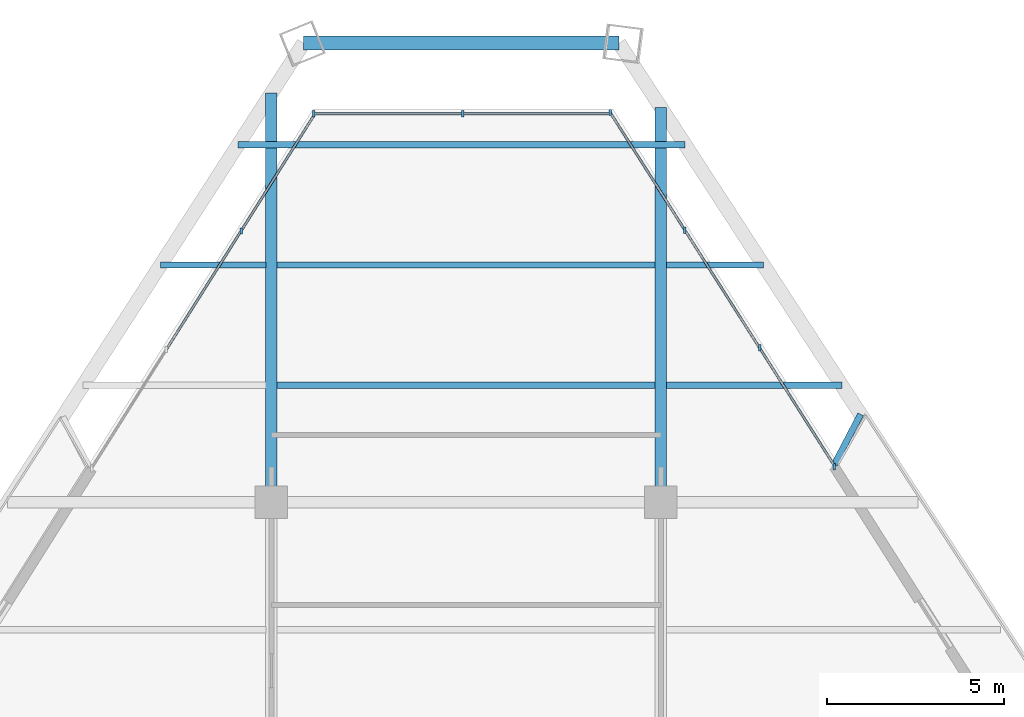
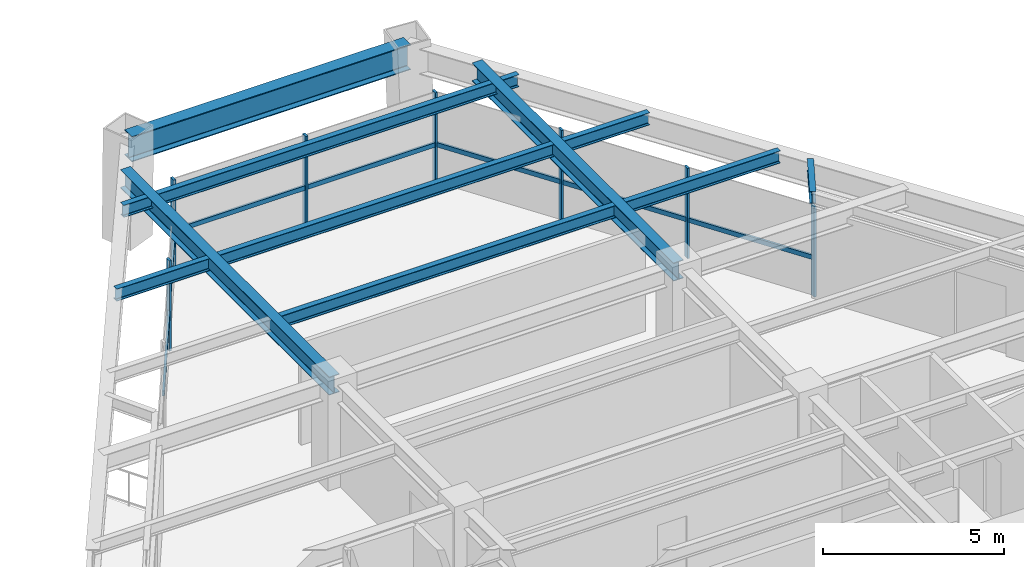
# One storey, part 9 of 15: 14 members, 10 beams, 3 elements without a shape of their own.
"""IFC4 building model written with IfcOpenShell, lengths in metres."""

from ifc_helpers import new_model, si_unit, direction, frame, origin, origin_2d, place, context, subcontext, project, spatial, rectangle, i_section, extrude, source, transform, mapped, material, material_profile, profile_set, type_object, element, aggregate, save


model = new_model("IFC4")

# Units and contexts
model_context = context("Model", 3, precision=1e-05, world=origin(), true_north=direction((0.0, 1.0)))
body_context = subcontext(model_context, "Body", "Model", "MODEL_VIEW")
ifc_project = project(units=[si_unit("LENGTHUNIT", "METRE"), si_unit("AREAUNIT", "SQUARE_METRE"), si_unit("VOLUMEUNIT", "CUBIC_METRE"), si_unit("PLANEANGLEUNIT", "RADIAN"), si_unit("MASSUNIT", "GRAM", prefix="KILO")], contexts=[model_context])

# Site, building, storey
site_placement = place(None, origin())
site = spatial("IfcSite", under=ifc_project, at=site_placement, CompositionType="ELEMENT")
building_placement = place(site_placement, origin())
building = spatial("IfcBuilding", under=site, at=building_placement, Name="Varnakhor Terracotta Tower", CompositionType="ELEMENT")
storey_placement = place(building_placement, frame((0.0, 0.0, 171.0)))
storey = spatial("IfcBuildingStorey", under=building, at=storey_placement, Name="L43", CompositionType="ELEMENT", Elevation=171.0)

# Beams
ifc_material_1 = material(Name="Steel S355", Category="steel")
ifc_material_profile_1 = material_profile(ifc_material_1, i_section(OverallWidth=0.179931640625, OverallDepth=0.4130859375, WebThickness=0.009765625, FlangeThickness=0.01611328125, FilletRadius=0.01806640625, at=origin_2d()), Name="W16X50")
ifc_profile_set_1 = profile_set([ifc_material_profile_1], Name="Steel S355")
beam_type_1 = type_object("IfcBeamType", Name="JST-W16X50", PredefinedType="JOIST", material=ifc_profile_set_1)
shared_shape_1 = source(origin(), body_context, "Body", "SweptSolid", [
    extrude(i_section(OverallWidth=0.179931640625, OverallDepth=0.4130859375, WebThickness=0.009765625, FlangeThickness=0.01611328125, FilletRadius=0.01806640625, at=origin_2d()), origin(), (0.0, 0.0, 1.0), 10.68310546875),
])
for number, where, z_axis, x_axis, name in (
    (1, (-5.341552734375, 34.800048828125, 3.263427734375), (1.0, 0.0, 0.0), (0.0, 1.0, 0.0), "L43 Composite Floor Joist 7-2"),
    (2, (-5.341552734375, 38.199951171875, 3.263427734375), (1.0, 0.0, 0.0), (0.0, 1.0, 0.0), "L43 Composite Floor Joist 8-2"),
):
    element("IfcBeam", number, at=place(storey_placement, frame(where, z_axis=z_axis, x_axis=x_axis)), inside=storey, type_object=beam_type_1, Name=name, PredefinedType="JOIST", context=body_context, shape_type="MappedRepresentation", body=[
        mapped(shared_shape_1, transform((0.0, 0.0, 0.0), scale=1.0)),
    ])
ifc_material_profile_2 = material_profile(ifc_material_1, i_section(OverallWidth=0.39990234375, OverallDepth=0.85498046875, WebThickness=0.01806640625, FlangeThickness=0.029052734375, FilletRadius=0.01806640625, at=origin_2d()), Name="W33X201")
ifc_profile_set_2 = profile_set([ifc_material_profile_2], Name="Steel S355")
beam_type_2 = type_object("IfcBeamType", Name="BM-W33X201", PredefinedType="BEAM", material=ifc_profile_set_2)
shared_shape_2 = source(origin(), body_context, "Body", "SweptSolid", [
    extrude(i_section(OverallWidth=0.39990234375, OverallDepth=0.85498046875, WebThickness=0.01806640625, FlangeThickness=0.029052734375, FilletRadius=0.01806640625, at=origin_2d()), origin(), (0.0, 0.0, 1.0), 8.907958984375),
])
beam_1_placement = place(storey_placement, frame((4.3173828125, 44.4697265625, 3.04248046875), z_axis=(-1.0, 0.0, 0.0), x_axis=(0.0, -1.0, 0.0)))
element("IfcBeam", 3, at=beam_1_placement, inside=storey, type_object=beam_type_2, Name="L43 Perimeter Spandrel 5", PredefinedType="BEAM", context=body_context, shape_type="MappedRepresentation", body=[
    mapped(shared_shape_2, transform((0.0, 0.0, 0.0), scale=1.0)),
])
ifc_material_profile_3 = material_profile(ifc_material_1, i_section(OverallWidth=0.324951171875, OverallDepth=0.615966796875, WebThickness=0.013916015625, FlangeThickness=0.02197265625, FilletRadius=0.01806640625, at=origin_2d()), Name="W24X117")
ifc_profile_set_3 = profile_set([ifc_material_profile_3], Name="Steel S355")
beam_type_3 = type_object("IfcBeamType", Name="BM-W24X117", PredefinedType="BEAM", material=ifc_profile_set_3)
shared_shape_3 = source(origin(), body_context, "Body", "SweptSolid", [
    extrude(i_section(OverallWidth=0.324951171875, OverallDepth=0.615966796875, WebThickness=0.013916015625, FlangeThickness=0.02197265625, FilletRadius=0.01806640625, at=origin_2d()), origin(), (0.0, 0.0, 1.0), 11.558837890625),
])
beam_2_placement = place(storey_placement, frame((-5.5, 31.5, 3.162109375), z_axis=(0.0, 1.0, 0.0), x_axis=(-1.0, 0.0, 0.0)))
element("IfcBeam", 4, at=beam_2_placement, inside=storey, type_object=beam_type_3, Name="L43 Primary Girder NS3-W", PredefinedType="BEAM", context=body_context, shape_type="MappedRepresentation", body=[
    mapped(shared_shape_3, transform((0.0, 0.0, 0.0), scale=1.0)),
])
shared_shape_4 = source(origin(), body_context, "Body", "SweptSolid", [
    extrude(i_section(OverallWidth=0.324951171875, OverallDepth=0.615966796875, WebThickness=0.013916015625, FlangeThickness=0.02197265625, FilletRadius=0.01806640625, at=origin_2d()), origin(), (0.0, 0.0, 1.0), 11.15234375),
])
beam_3_placement = place(storey_placement, frame((5.5, 31.5, 3.162109375), z_axis=(0.0, 1.0, 0.0), x_axis=(-1.0, 0.0, 0.0)))
element("IfcBeam", 5, at=beam_3_placement, inside=storey, type_object=beam_type_3, Name="L43 Primary Girder NS3-E", PredefinedType="BEAM", context=body_context, shape_type="MappedRepresentation", body=[
    mapped(shared_shape_4, transform((0.0, 0.0, 0.0), scale=1.0)),
])
shared_shape_5 = source(origin(), body_context, "Body", "SweptSolid", [
    extrude(i_section(OverallWidth=0.179931640625, OverallDepth=0.4130859375, WebThickness=0.009765625, FlangeThickness=0.01611328125, FilletRadius=0.01806640625, at=origin_2d()), origin(), (0.0, 0.0, 1.0), 4.95166015625),
])
beam_4_placement = place(storey_placement, frame((5.658447265625, 34.800048828125, 3.263427734375), z_axis=(1.0, 0.0, 0.0), x_axis=(0.0, 1.0, 0.0)))
element("IfcBeam", 6, at=beam_4_placement, inside=storey, type_object=beam_type_1, Name="L43 Composite Floor Joist 7-3", PredefinedType="JOIST", context=body_context, shape_type="MappedRepresentation", body=[
    mapped(shared_shape_5, transform((0.0, 0.0, 0.0), scale=1.0)),
])
shared_shape_6 = source(origin(), body_context, "Body", "SweptSolid", [
    extrude(i_section(OverallWidth=0.179931640625, OverallDepth=0.4130859375, WebThickness=0.009765625, FlangeThickness=0.01611328125, FilletRadius=0.01806640625, at=origin_2d()), origin(), (0.0, 0.0, 1.0), 2.9736328125),
])
beam_5_placement = place(storey_placement, frame((-8.632080078125, 38.199951171875, 3.263427734375), z_axis=(1.0, 0.0, 0.0), x_axis=(0.0, 1.0, 0.0)))
element("IfcBeam", 7, at=beam_5_placement, inside=storey, type_object=beam_type_1, Name="L43 Composite Floor Joist 8-1", PredefinedType="JOIST", context=body_context, shape_type="MappedRepresentation", body=[
    mapped(shared_shape_6, transform((0.0, 0.0, 0.0), scale=1.0)),
])
shared_shape_7 = source(origin(), body_context, "Body", "SweptSolid", [
    extrude(i_section(OverallWidth=0.179931640625, OverallDepth=0.4130859375, WebThickness=0.009765625, FlangeThickness=0.01611328125, FilletRadius=0.01806640625, at=origin_2d()), origin(), (0.0, 0.0, 1.0), 2.739013671875),
])
beam_6_placement = place(storey_placement, frame((5.658447265625, 38.199951171875, 3.263427734375), z_axis=(1.0, 0.0, 0.0), x_axis=(0.0, 1.0, 0.0)))
element("IfcBeam", 8, at=beam_6_placement, inside=storey, type_object=beam_type_1, Name="L43 Composite Floor Joist 8-3", PredefinedType="JOIST", context=body_context, shape_type="MappedRepresentation", body=[
    mapped(shared_shape_7, transform((0.0, 0.0, 0.0), scale=1.0)),
])
shared_shape_8 = source(origin(), body_context, "Body", "SweptSolid", [
    extrude(i_section(OverallWidth=0.179931640625, OverallDepth=0.4130859375, WebThickness=0.009765625, FlangeThickness=0.01611328125, FilletRadius=0.01806640625, at=origin_2d()), origin(), (0.0, 0.0, 1.0), 12.625244140625),
])
beam_7_placement = place(storey_placement, frame((-6.4404296875, 41.60009765625, 3.263427734375), z_axis=(1.0, 0.0, 0.0), x_axis=(0.0, 1.0, 0.0)))
element("IfcBeam", 9, at=beam_7_placement, inside=storey, type_object=beam_type_1, Name="L43 Composite Floor Joist 9-1", PredefinedType="JOIST", context=body_context, shape_type="MappedRepresentation", body=[
    mapped(shared_shape_8, transform((0.0, 0.0, 0.0), scale=1.0)),
])
ifc_material_profile_4 = material_profile(ifc_material_1, i_section(OverallWidth=0.179931640625, OverallDepth=0.39990234375, WebThickness=0.008544921875, FlangeThickness=0.013427734375, FilletRadius=0.01806640625, at=origin_2d()), Name="IPE400")
ifc_profile_set_4 = profile_set([ifc_material_profile_4], Name="Steel S355")
beam_type_4 = type_object("IfcBeamType", Name="JST-IPE400", PredefinedType="JOIST", material=ifc_profile_set_4)
shared_shape_9 = source(origin(), body_context, "Body", "SweptSolid", [
    extrude(i_section(OverallWidth=0.179931640625, OverallDepth=0.39990234375, WebThickness=0.008544921875, FlangeThickness=0.013427734375, FilletRadius=0.01806640625, at=origin_2d()), origin(), (0.0, 0.0, 1.0), 1.60546875),
])
beam_8_placement = place(storey_placement, frame((10.398681640625, 32.558837890625, 3.27001953125), z_axis=(0.463319349176, 0.886191390547, 0.0), x_axis=(-0.886191390547, 0.463319349176, 0.0)))
element("IfcBeam", 10, at=beam_8_placement, inside=storey, type_object=beam_type_4, Name="L44 E Loggia Tie Beam 1", PredefinedType="JOIST", context=body_context, shape_type="MappedRepresentation", body=[
    mapped(shared_shape_9, transform((0.0, 0.0, 0.0), scale=1.0)),
])

# Curtain wall, member
ifc_material_2 = material(Name="Anodised Aluminium Curtain Wall System", Category="aluminium")
curtain_wall_type = type_object("IfcCurtainWallType", Name="CW-SYS-MID-OFFICE", PredefinedType="NOTDEFINED", material=ifc_material_2)
curtain_wall_1_placement = place(storey_placement, origin())
curtain_wall_1 = element("IfcCurtainWall", 11, at=curtain_wall_1_placement, inside=storey, type_object=curtain_wall_type, Name="L43 W Facet Curtain Wall 2", PredefinedType="NOTDEFINED")
ifc_material_3 = material(Name="Anodised Aluminium 6063-T6", Category="aluminium")
ifc_material_profile_5 = material_profile(ifc_material_3, rectangle(XDim=0.070068359375, YDim=0.175048828125, at=origin_2d()), Name="ALU MULLION 70x175")
ifc_profile_set_5 = profile_set([ifc_material_profile_5], Name="Anodised Aluminium 6063-T6")
member_type_1 = type_object("IfcMemberType", Name="CWM-03", PredefinedType="MULLION", material=ifc_profile_set_5)
shared_shape_10 = source(origin(), body_context, "Body", "SweptSolid", [
    extrude(rectangle(XDim=0.070068359375, YDim=0.175048828125, at=origin_2d()), origin(), (0.0, 0.0, 1.0), 3.050048828125),
])
member_1_placement = place(storey_placement, frame((-6.35791015625, 39.160888671875, 0.0), z_axis=(0.0, 0.0, 1.0), x_axis=(1.0, 0.0, 0.0)))
member_1 = element("IfcMember", 12, at=member_1_placement, type_object=member_type_1, Name="L43 W Facet Curtain Wall 2 Mullion 3", PredefinedType="MULLION", context=body_context, shape_type="MappedRepresentation", body=[
    mapped(shared_shape_10, transform((0.0, 0.0, 0.0), scale=1.0)),
])

# Curtain wall, members
curtain_wall_2_placement = place(storey_placement, origin())
curtain_wall_2 = element("IfcCurtainWall", 13, at=curtain_wall_2_placement, inside=storey, type_object=curtain_wall_type, Name="L43 Facet Curtain Wall 2", PredefinedType="NOTDEFINED")
member_2_placement = place(storey_placement, frame((-4.304443359375, 42.474609375, 0.0), z_axis=(0.0, 0.0, 1.0), x_axis=(1.0, 0.0, 0.0)))
member_2 = element("IfcMember", 14, at=member_2_placement, type_object=member_type_1, Name="L43 Facet Curtain Wall 2 Mullion 1", PredefinedType="MULLION", context=body_context, shape_type="MappedRepresentation", body=[
    mapped(shared_shape_10, transform((0.0, 0.0, 0.0), scale=1.0)),
])
member_3_placement = place(storey_placement, frame((-0.08935546875, 42.474609375, 0.0), z_axis=(0.0, 0.0, 1.0), x_axis=(1.0, 0.0, 0.0)))
member_3 = element("IfcMember", 15, at=member_3_placement, type_object=member_type_1, Name="L43 Facet Curtain Wall 2 Mullion 2", PredefinedType="MULLION", context=body_context, shape_type="MappedRepresentation", body=[
    mapped(shared_shape_10, transform((0.0, 0.0, 0.0), scale=1.0)),
])

curtain_wall_3_placement = place(storey_placement, origin())
curtain_wall_3 = element("IfcCurtainWall", 16, at=curtain_wall_3_placement, inside=storey, type_object=curtain_wall_type, Name="L43 E Facet Curtain Wall 1", PredefinedType="NOTDEFINED")
member_4_placement = place(storey_placement, frame((4.070556640625, 42.505126953125, 0.0), z_axis=(0.0, 0.0, 1.0), x_axis=(1.0, 0.0, 0.0)))
member_4 = element("IfcMember", 17, at=member_4_placement, type_object=member_type_1, Name="L43 E Facet Curtain Wall 1 Mullion 1", PredefinedType="MULLION", context=body_context, shape_type="MappedRepresentation", body=[
    mapped(shared_shape_10, transform((0.0, 0.0, 0.0), scale=1.0)),
])
member_5_placement = place(storey_placement, frame((6.178955078125, 39.18359375, 0.0), z_axis=(0.0, 0.0, 1.0), x_axis=(1.0, 0.0, 0.0)))
member_5 = element("IfcMember", 18, at=member_5_placement, type_object=member_type_1, Name="L43 E Facet Curtain Wall 1 Mullion 2", PredefinedType="MULLION", context=body_context, shape_type="MappedRepresentation", body=[
    mapped(shared_shape_10, transform((0.0, 0.0, 0.0), scale=1.0)),
])
member_6_placement = place(storey_placement, frame((8.287353515625, 35.86181640625, 0.0), z_axis=(0.0, 0.0, 1.0), x_axis=(1.0, 0.0, 0.0)))
member_6 = element("IfcMember", 19, at=member_6_placement, type_object=member_type_1, Name="L43 E Facet Curtain Wall 1 Mullion 3", PredefinedType="MULLION", context=body_context, shape_type="MappedRepresentation", body=[
    mapped(shared_shape_10, transform((0.0, 0.0, 0.0), scale=1.0)),
])
member_7_placement = place(storey_placement, frame((10.39501953125, 32.504150390625, 0.0), z_axis=(0.0, 0.0, 1.0), x_axis=(1.0, 0.0, 0.0)))
member_7 = element("IfcMember", 20, at=member_7_placement, type_object=member_type_1, Name="L43 E Loggia Jamb Closure Mullion 1", PredefinedType="MULLION", context=body_context, shape_type="MappedRepresentation", body=[
    mapped(shared_shape_10, transform((0.0, 0.0, 0.0), scale=1.0)),
])

# Member
ifc_material_profile_6 = material_profile(ifc_material_3, rectangle(XDim=0.070068359375, YDim=0.155029296875, at=origin_2d()), Name="ALU TRANSOM 70x155")
ifc_profile_set_6 = profile_set([ifc_material_profile_6], Name="Anodised Aluminium 6063-T6")
member_type_2 = type_object("IfcMemberType", Name="CWT-03", PredefinedType="USERDEFINED", material=ifc_profile_set_6)
shared_shape_11 = source(origin(), body_context, "Body", "SweptSolid", [
    extrude(rectangle(XDim=0.070068359375, YDim=0.155029296875, at=origin_2d()), origin(), (0.0, 0.0, 1.0), 3.95361328125),
])
member_8_placement = place(storey_placement, frame((-8.466796875, 35.816650390625, 1.281005859375), z_axis=(0.533402744512, 0.845861402446, 0.0), x_axis=(-0.845861402446, 0.533402744512, 0.0)))
member_8 = element("IfcMember", 21, at=member_8_placement, type_object=member_type_2, Name="L43 W Facet Curtain Wall 2 Transom 2", ObjectType="TRANSOM", PredefinedType="USERDEFINED", context=body_context, shape_type="MappedRepresentation", body=[
    mapped(shared_shape_11, transform((0.0, 0.0, 0.0), scale=1.0)),
])

shared_shape_12 = source(origin(), body_context, "Body", "SweptSolid", [
    extrude(rectangle(XDim=0.070068359375, YDim=0.155029296875, at=origin_2d()), origin(), (0.0, 0.0, 1.0), 3.953857421875),
])
member_9_placement = place(storey_placement, frame((-6.35791015625, 39.160888671875, 1.281005859375), z_axis=(0.533374884691, 0.845878970291, 0.0), x_axis=(-0.845878970291, 0.533374884691, 0.0)))
member_9 = element("IfcMember", 22, at=member_9_placement, type_object=member_type_2, Name="L43 W Facet Curtain Wall 2 Transom 3", ObjectType="TRANSOM", PredefinedType="USERDEFINED", context=body_context, shape_type="MappedRepresentation", body=[
    mapped(shared_shape_12, transform((0.0, 0.0, 0.0), scale=1.0)),
])

aggregate(curtain_wall_1, [member_8, member_1, member_9])

shared_shape_13 = source(origin(), body_context, "Body", "SweptSolid", [
    extrude(rectangle(XDim=0.070068359375, YDim=0.155029296875, at=origin_2d()), origin(), (0.0, 0.0, 1.0), 4.215087890625),
])
member_10_placement = place(storey_placement, frame((-4.304443359375, 42.474609375, 1.281005859375), z_axis=(1.0, 0.0, 0.0), x_axis=(0.0, 1.0, 0.0)))
member_10 = element("IfcMember", 23, at=member_10_placement, type_object=member_type_2, Name="L43 Facet Curtain Wall 2 Transom 1", ObjectType="TRANSOM", PredefinedType="USERDEFINED", context=body_context, shape_type="MappedRepresentation", body=[
    mapped(shared_shape_13, transform((0.0, 0.0, 0.0), scale=1.0)),
])

member_11_placement = place(storey_placement, frame((-0.08935546875, 42.474609375, 1.281005859375), z_axis=(1.0, 0.0, 0.0), x_axis=(0.0, 1.0, 0.0)))
member_11 = element("IfcMember", 24, at=member_11_placement, type_object=member_type_2, Name="L43 Facet Curtain Wall 2 Transom 2", ObjectType="TRANSOM", PredefinedType="USERDEFINED", context=body_context, shape_type="MappedRepresentation", body=[
    mapped(shared_shape_13, transform((0.0, 0.0, 0.0), scale=1.0)),
])

aggregate(curtain_wall_2, [member_2, member_10, member_3, member_11])

shared_shape_14 = source(origin(), body_context, "Body", "SweptSolid", [
    extrude(rectangle(XDim=0.070068359375, YDim=0.155029296875, at=origin_2d()), origin(), (0.0, 0.0, 1.0), 3.93408203125),
])
member_12_placement = place(storey_placement, frame((4.070556640625, 42.505126953125, 1.281005859375), z_axis=(0.535915467329, -0.844271645786, 0.0), x_axis=(0.844271645786, 0.535915467329, 0.0)))
member_12 = element("IfcMember", 25, at=member_12_placement, type_object=member_type_2, Name="L43 E Facet Curtain Wall 1 Transom 1", ObjectType="TRANSOM", PredefinedType="USERDEFINED", context=body_context, shape_type="MappedRepresentation", body=[
    mapped(shared_shape_14, transform((0.0, 0.0, 0.0), scale=1.0)),
])

shared_shape_15 = source(origin(), body_context, "Body", "SweptSolid", [
    extrude(rectangle(XDim=0.070068359375, YDim=0.155029296875, at=origin_2d()), origin(), (0.0, 0.0, 1.0), 3.934326171875),
])
member_13_placement = place(storey_placement, frame((6.178955078125, 39.18359375, 1.281005859375), z_axis=(0.535887390763, -0.844289467198, 0.0), x_axis=(0.844289467198, 0.535887390763, 0.0)))
member_13 = element("IfcMember", 26, at=member_13_placement, type_object=member_type_2, Name="L43 E Facet Curtain Wall 1 Transom 2", ObjectType="TRANSOM", PredefinedType="USERDEFINED", context=body_context, shape_type="MappedRepresentation", body=[
    mapped(shared_shape_15, transform((0.0, 0.0, 0.0), scale=1.0)),
])

member_14_placement = place(storey_placement, frame((8.287353515625, 35.86181640625, 1.281005859375), z_axis=(0.535959698292, -0.844243567821, 0.0), x_axis=(0.844243567821, 0.535959698292, 0.0)))
member_14 = element("IfcMember", 27, at=member_14_placement, type_object=member_type_2, Name="L43 E Facet Curtain Wall 1 Transom 3", ObjectType="TRANSOM", PredefinedType="USERDEFINED", context=body_context, shape_type="MappedRepresentation", body=[
    mapped(shared_shape_15, transform((0.0, 0.0, 0.0), scale=1.0)),
])

aggregate(curtain_wall_3, [member_4, member_12, member_5, member_13, member_6, member_14, member_7])

save(model, "model.ifc")
